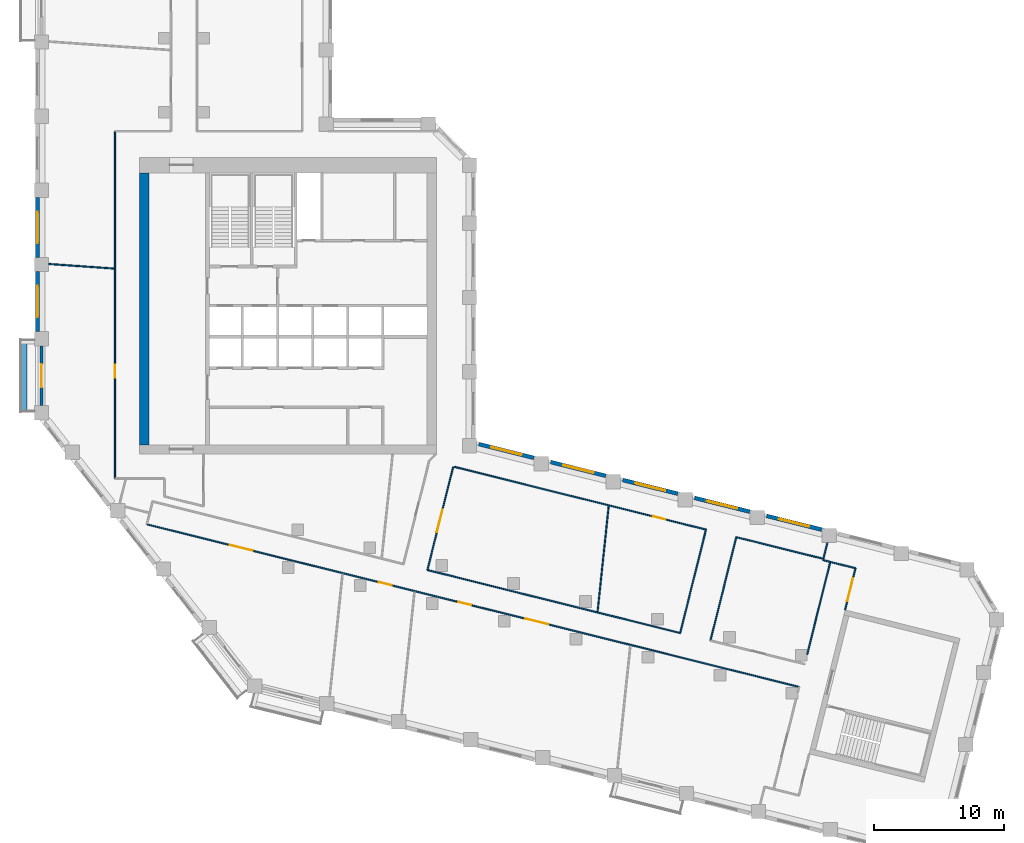
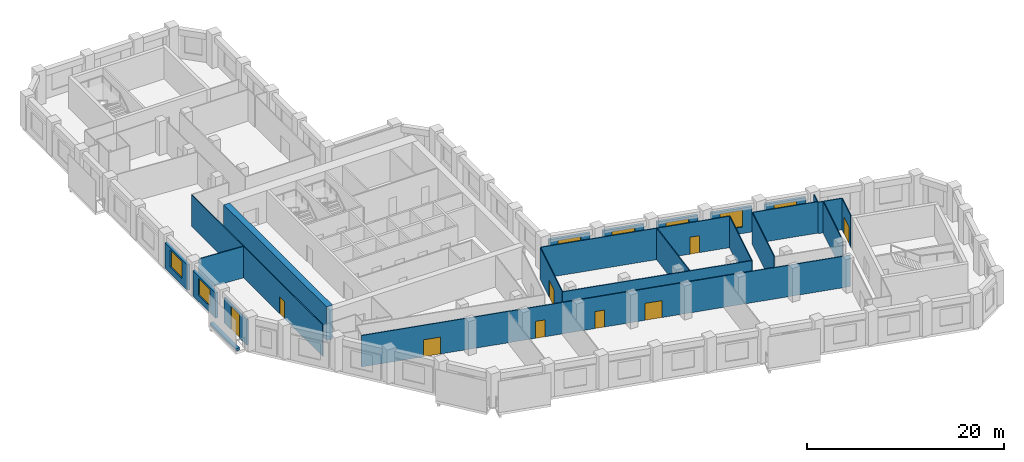
# One storey, part 4 of 10: 25 walls, 9 doors, 7 windows, 16 openings.
"""IFC4 building model written with IfcOpenShell, lengths in metres."""

from ifc_helpers import new_model, si_unit, direction, frame, frame_2d, origin, place, context, subcontext, project, spatial, rectangle, extrude, material, layer, layer_set, type_object, element, fill, save


model = new_model("IFC4")

# Units and contexts
model_context = context("Model", 3, precision=1e-05, world=origin(), true_north=direction((0.0, 1.0)))
body_context = subcontext(model_context, "Body", "Model", "MODEL_VIEW")
ifc_project = project(units=[si_unit("LENGTHUNIT", "METRE"), si_unit("AREAUNIT", "SQUARE_METRE"), si_unit("VOLUMEUNIT", "CUBIC_METRE"), si_unit("PLANEANGLEUNIT", "RADIAN"), si_unit("MASSUNIT", "GRAM", prefix="KILO")], contexts=[model_context])

# Site, building, storey
site_placement = place(None, origin())
site = spatial("IfcSite", under=ifc_project, at=site_placement, CompositionType="ELEMENT")
building_placement = place(site_placement, origin())
building = spatial("IfcBuilding", under=site, at=building_placement, Name="Meshkara Civic Tower", CompositionType="ELEMENT")
storey_placement = place(building_placement, frame((0.0, 0.0, 229.800048828125)))
storey = spatial("IfcBuildingStorey", under=building, at=storey_placement, Name="L52", CompositionType="ELEMENT", Elevation=229.800048828125)

# Wall
ifc_material_1 = material(Name="Concrete C60", Category="concrete")
ifc_layer_1 = layer(ifc_material_1, 0.699951171875)
ifc_layer_set_1 = layer_set([ifc_layer_1], Name="Core ring wall 700 C60")
wall_type_1 = type_object("IfcWallType", Name="Core ring wall 700 C60", PredefinedType="SHEAR", material=ifc_layer_set_1)
wall_1_placement = place(storey_placement, frame((8.35009765625, 14.800048828125, -0.300048828125), z_axis=(0.0, 0.0, 1.0), x_axis=(0.0, 1.0, 0.0)))
element("IfcWall", 1, at=wall_1_placement, inside=storey, type_object=wall_type_1, Name="L52-C003", PredefinedType="SHEAR", context=body_context, shape_type="SweptSolid", body=[
    extrude(rectangle(XDim=20.89990234375, YDim=0.699951171875, at=frame_2d((10.449951171875, 0.0))), origin(), (0.0, 0.0, 1.0), 4.199951171875),
])

# Wall, opening, door
ifc_material_2 = material(Name="Corridor wall 100")
ifc_layer_2 = layer(ifc_material_2, 0.10009765625)
ifc_layer_set_2 = layer_set([ifc_layer_2], Name="Corridor wall 100")
wall_type_2 = type_object("IfcWallType", Name="Corridor wall 100", PredefinedType="PARTITIONING", material=ifc_layer_set_2)
wall_2_placement = place(storey_placement, frame((6.10009765625, 38.89990234375, 0.0), z_axis=(0.0, 0.0, 1.0), x_axis=(0.0, -1.0, 0.0)))
wall_2 = element("IfcWall", 2, at=wall_2_placement, inside=storey, type_object=wall_type_2, Name="L52-W005", PredefinedType="PARTITIONING", context=body_context, shape_type="SweptSolid", body=[
    extrude(rectangle(XDim=26.699951171875, YDim=0.10009765625, at=frame_2d((13.35009765625, 0.0))), origin(), (0.0, 0.0, 1.0), 3.89990234375),
])
opening_1_placement = place(wall_2_placement, frame((17.93603515625, 0.0, 0.0)))
opening_1 = element("IfcOpeningElement", 3, at=opening_1_placement, cuts=wall_2, Name="Opening L52-D013", PredefinedType="OPENING", context=body_context, shape_type="SweptSolid", body=[
    extrude(rectangle(XDim=1.0, YDim=2.10009765625, at=frame_2d((0.5, 1.050048828125))), frame((0.0, 0.06005859375, 0.0), z_axis=(0.0, -1.0, 0.0), x_axis=(1.0, 0.0, 0.0)), (0.0, 0.0, 1.0), 0.1201171875),
])
ifc_material_3 = material(Name="Door 1000 x 2100")
door_type_1 = type_object("IfcDoorType", Name="Door 1000 x 2100", OperationType="SINGLE_SWING_LEFT", PredefinedType="DOOR", material=ifc_material_3)
door_1_placement = place(opening_1_placement, origin())
door_1 = element("IfcDoor", 4, at=door_1_placement, inside=storey, type_object=door_type_1, Name="L52-D013", OperationType="SINGLE_SWING_RIGHT", OverallHeight=2.10009765625, OverallWidth=1.0, PredefinedType="DOOR", context=body_context, shape_type="SweptSolid", body=[
    extrude(rectangle(XDim=1.0, YDim=2.10009765625, at=frame_2d((0.5, 1.050048828125))), frame((0.0, 0.02490234375, 0.0), z_axis=(0.0, -1.0, 0.0), x_axis=(1.0, 0.0, 0.0)), (0.0, 0.0, 1.0), 0.050048828125),
])
fill(opening_1, door_1)

# Wall, openings, doors
wall_3_placement = place(storey_placement, frame((8.550048828125, 8.68505859375, 0.0), z_axis=(0.0, 0.0, 1.0), x_axis=(0.970297101369, -0.241916380335, 0.0)))
wall_3 = element("IfcWall", 5, at=wall_3_placement, inside=storey, type_object=wall_type_2, Name="L52-W006", PredefinedType="PARTITIONING", context=body_context, shape_type="SweptSolid", body=[
    extrude(rectangle(XDim=51.6748046875, YDim=0.10009765625, at=frame_2d((25.83740234375, 0.0))), origin(), (0.0, 0.0, 1.0), 3.89990234375),
])
opening_2_placement = place(wall_3_placement, frame((18.39111328125, 0.0, 0.0)))
opening_2 = element("IfcOpeningElement", 6, at=opening_2_placement, cuts=wall_3, Name="Opening L52-D004", PredefinedType="OPENING", context=body_context, shape_type="SweptSolid", body=[
    extrude(rectangle(XDim=1.0, YDim=2.10009765625, at=frame_2d((0.5, 1.050048828125))), frame((0.0, 0.06005859375, 0.0), z_axis=(0.0, -1.0, 0.0), x_axis=(1.0, 0.0, 0.0)), (0.0, 0.0, 1.0), 0.1201171875),
])
opening_3_placement = place(wall_3_placement, frame((24.68994140625, 0.0, 0.0)))
opening_3 = element("IfcOpeningElement", 7, at=opening_3_placement, cuts=wall_3, Name="Opening L52-D005", PredefinedType="OPENING", context=body_context, shape_type="SweptSolid", body=[
    extrude(rectangle(XDim=1.0, YDim=2.10009765625, at=frame_2d((0.5, 1.050048828125))), frame((0.0, 0.06005859375, 0.0), z_axis=(0.0, -1.0, 0.0), x_axis=(1.0, 0.0, 0.0)), (0.0, 0.0, 1.0), 0.1201171875),
])
opening_4_placement = place(wall_3_placement, frame((29.989990234375, 0.0, 0.0)))
opening_4 = element("IfcOpeningElement", 8, at=opening_4_placement, cuts=wall_3, Name="Opening L52-D006", PredefinedType="OPENING", context=body_context, shape_type="SweptSolid", body=[
    extrude(rectangle(XDim=1.800048828125, YDim=2.10009765625, at=frame_2d((0.89990234375, 1.050048828125))), frame((0.0, 0.06005859375, 0.0), z_axis=(0.0, -1.0, 0.0), x_axis=(1.0, 0.0, 0.0)), (0.0, 0.0, 1.0), 0.1201171875),
])
opening_5_placement = place(wall_3_placement, frame((6.580078125, 0.0, 0.0)))
opening_5 = element("IfcOpeningElement", 9, at=opening_5_placement, cuts=wall_3, Name="Opening L52-D008", PredefinedType="OPENING", context=body_context, shape_type="SweptSolid", body=[
    extrude(rectangle(XDim=1.800048828125, YDim=2.10009765625, at=frame_2d((0.89990234375, 1.050048828125))), frame((0.0, 0.06005859375, 0.0), z_axis=(0.0, -1.0, 0.0), x_axis=(1.0, 0.0, 0.0)), (0.0, 0.0, 1.0), 0.1201171875),
])
door_2_placement = place(opening_2_placement, origin())
door_2 = element("IfcDoor", 10, at=door_2_placement, inside=storey, type_object=door_type_1, Name="L52-D004", OperationType="SINGLE_SWING_LEFT", OverallHeight=2.10009765625, OverallWidth=1.0, PredefinedType="DOOR", context=body_context, shape_type="SweptSolid", body=[
    extrude(rectangle(XDim=1.0, YDim=2.10009765625, at=frame_2d((0.5, 1.050048828125))), frame((0.0, 0.02490234375, 0.0), z_axis=(0.0, -1.0, 0.0), x_axis=(1.0, 0.0, 0.0)), (0.0, 0.0, 1.0), 0.050048828125),
])
fill(opening_2, door_2)
door_3_placement = place(opening_3_placement, origin())
door_3 = element("IfcDoor", 11, at=door_3_placement, inside=storey, type_object=door_type_1, Name="L52-D005", OperationType="SINGLE_SWING_RIGHT", OverallHeight=2.10009765625, OverallWidth=1.0, PredefinedType="DOOR", context=body_context, shape_type="SweptSolid", body=[
    extrude(rectangle(XDim=1.0, YDim=2.10009765625, at=frame_2d((0.5, 1.050048828125))), frame((0.0, 0.02490234375, 0.0), z_axis=(0.0, -1.0, 0.0), x_axis=(1.0, 0.0, 0.0)), (0.0, 0.0, 1.0), 0.050048828125),
])
fill(opening_3, door_3)
ifc_material_4 = material(Name="Door pair 1800 x 2100")
door_type_2 = type_object("IfcDoorType", Name="Door pair 1800 x 2100", OperationType="SINGLE_SWING_LEFT", PredefinedType="DOOR", material=ifc_material_4)
door_4_placement = place(opening_4_placement, origin())
door_4 = element("IfcDoor", 12, at=door_4_placement, inside=storey, type_object=door_type_2, Name="L52-D006", OperationType="DOUBLE_DOOR_SINGLE_SWING", OverallHeight=2.10009765625, OverallWidth=1.800048828125, PredefinedType="DOOR", context=body_context, shape_type="SweptSolid", body=[
    extrude(rectangle(XDim=1.800048828125, YDim=2.10009765625, at=frame_2d((0.89990234375, 1.050048828125))), frame((0.0, 0.02490234375, 0.0), z_axis=(0.0, -1.0, 0.0), x_axis=(1.0, 0.0, 0.0)), (0.0, 0.0, 1.0), 0.050048828125),
])
fill(opening_4, door_4)
door_5_placement = place(opening_5_placement, origin())
door_5 = element("IfcDoor", 13, at=door_5_placement, inside=storey, type_object=door_type_2, Name="L52-D008", OperationType="DOUBLE_DOOR_SINGLE_SWING", OverallHeight=2.10009765625, OverallWidth=1.800048828125, PredefinedType="DOOR", context=body_context, shape_type="SweptSolid", body=[
    extrude(rectangle(XDim=1.800048828125, YDim=2.10009765625, at=frame_2d((0.89990234375, 1.050048828125))), frame((0.0, 0.02490234375, 0.0), z_axis=(0.0, -1.0, 0.0), x_axis=(1.0, 0.0, 0.0)), (0.0, 0.0, 1.0), 0.050048828125),
])
fill(opening_5, door_5)

# Wall
wall_4_placement = place(storey_placement, frame((30.1201171875, 5.1708984375, 0.0), z_axis=(0.0, 0.0, 1.0), x_axis=(0.970303642594, -0.241890142767, 0.0)))
element("IfcWall", 14, at=wall_4_placement, inside=storey, type_object=wall_type_2, Name="L52-W021", PredefinedType="PARTITIONING", context=body_context, shape_type="SweptSolid", body=[
    extrude(rectangle(XDim=20.025634765625, YDim=0.10009765625, at=frame_2d((10.0126953125, 0.0))), origin(), (0.0, 0.0, 1.0), 3.89990234375),
])

# Wall, opening, door
wall_5_placement = place(storey_placement, frame((30.1201171875, 5.1708984375, 0.0), z_axis=(0.0, 0.0, 1.0), x_axis=(0.241902913229, 0.970300458915, 0.0)))
wall_5 = element("IfcWall", 15, at=wall_5_placement, inside=storey, type_object=wall_type_2, Name="L52-W022", PredefinedType="PARTITIONING", context=body_context, shape_type="SweptSolid", body=[
    extrude(rectangle(XDim=8.171875, YDim=0.10009765625, at=frame_2d((4.0859375, 0.0))), origin(), (0.0, 0.0, 1.0), 3.89990234375),
])
opening_6_placement = place(wall_5_placement, frame((2.97998046875, 0.0, 0.0)))
opening_6 = element("IfcOpeningElement", 16, at=opening_6_placement, cuts=wall_5, Name="Opening L52-D010", PredefinedType="OPENING", context=body_context, shape_type="SweptSolid", body=[
    extrude(rectangle(XDim=1.800048828125, YDim=2.10009765625, at=frame_2d((0.89990234375, 1.050048828125))), frame((0.0, 0.06005859375, 0.0), z_axis=(0.0, -1.0, 0.0), x_axis=(1.0, 0.0, 0.0)), (0.0, 0.0, 1.0), 0.1201171875),
])
door_6_placement = place(opening_6_placement, origin())
door_6 = element("IfcDoor", 17, at=door_6_placement, inside=storey, type_object=door_type_2, Name="L52-D010", OperationType="DOUBLE_DOOR_SINGLE_SWING", OverallHeight=2.10009765625, OverallWidth=1.800048828125, PredefinedType="DOOR", context=body_context, shape_type="SweptSolid", body=[
    extrude(rectangle(XDim=1.800048828125, YDim=2.10009765625, at=frame_2d((0.89990234375, 1.050048828125))), frame((0.0, 0.02490234375, 0.0), z_axis=(0.0, -1.0, 0.0), x_axis=(1.0, 0.0, 0.0)), (0.0, 0.0, 1.0), 0.050048828125),
])
fill(opening_6, door_6)

wall_6_placement = place(storey_placement, frame((32.196044921875, 13.10009765625, 0.0), z_axis=(0.0, 0.0, 1.0), x_axis=(0.970300822777, -0.241901453734, 0.0)))
wall_6 = element("IfcWall", 18, at=wall_6_placement, inside=storey, type_object=wall_type_2, Name="L52-W026", PredefinedType="PARTITIONING", context=body_context, shape_type="SweptSolid", body=[
    extrude(rectangle(XDim=19.9296875, YDim=0.10009765625, at=frame_2d((9.96484375, 0.0))), origin(), (0.0, 0.0, 1.0), 3.89990234375),
])
opening_7_placement = place(wall_6_placement, frame((15.70703125, 0.0, 0.0)))
opening_7 = element("IfcOpeningElement", 19, at=opening_7_placement, cuts=wall_6, Name="Opening L52-D011", PredefinedType="OPENING", context=body_context, shape_type="SweptSolid", body=[
    extrude(rectangle(XDim=1.0, YDim=2.10009765625, at=frame_2d((0.5, 1.050048828125))), frame((0.0, 0.06005859375, 0.0), z_axis=(0.0, -1.0, 0.0), x_axis=(1.0, 0.0, 0.0)), (0.0, 0.0, 1.0), 0.1201171875),
])
door_7_placement = place(opening_7_placement, origin())
door_7 = element("IfcDoor", 20, at=door_7_placement, inside=storey, type_object=door_type_1, Name="L52-D011", OperationType="SINGLE_SWING_LEFT", OverallHeight=2.10009765625, OverallWidth=1.0, PredefinedType="DOOR", context=body_context, shape_type="SweptSolid", body=[
    extrude(rectangle(XDim=1.0, YDim=2.10009765625, at=frame_2d((0.5, 1.050048828125))), frame((0.0, 0.02490234375, 0.0), z_axis=(0.0, -1.0, 0.0), x_axis=(1.0, 0.0, 0.0)), (0.0, 0.0, 1.0), 0.050048828125),
])
fill(opening_7, door_7)

# Walls
wall_7_placement = place(storey_placement, frame((51.533935546875, 8.278076171875, 0.0), z_axis=(0.0, 0.0, 1.0), x_axis=(-0.241974784284, -0.970282538115, 0.0)))
element("IfcWall", 21, at=wall_7_placement, inside=storey, type_object=wall_type_2, Name="L52-W027", PredefinedType="PARTITIONING", context=body_context, shape_type="SweptSolid", body=[
    extrude(rectangle(XDim=8.194580078125, YDim=0.10009765625, at=frame_2d((4.09716796875, 0.0))), origin(), (0.0, 0.0, 1.0), 3.89990234375),
])
wall_8_placement = place(storey_placement, frame((51.8798828125, -0.25390625, 0.0), z_axis=(0.0, 0.0, 1.0), x_axis=(0.241869660979, 0.970308748336, 0.0)))
element("IfcWall", 22, at=wall_8_placement, inside=storey, type_object=wall_type_2, Name="L52-W028", PredefinedType="PARTITIONING", context=body_context, shape_type="SweptSolid", body=[
    extrude(rectangle(XDim=8.1953125, YDim=0.10009765625, at=frame_2d((4.09765625, 0.0))), origin(), (0.0, 0.0, 1.0), 3.89990234375),
])
wall_9_placement = place(storey_placement, frame((53.862060546875, 7.697998046875, 0.0), z_axis=(0.0, 0.0, 1.0), x_axis=(0.970296350815, -0.241919390698, 0.0)))
element("IfcWall", 23, at=wall_9_placement, inside=storey, type_object=wall_type_2, Name="L52-W029", PredefinedType="PARTITIONING", context=body_context, shape_type="SweptSolid", body=[
    extrude(rectangle(XDim=6.898681640625, YDim=0.10009765625, at=frame_2d((3.44921875, 0.0))), origin(), (0.0, 0.0, 1.0), 3.89990234375),
])
wall_10_placement = place(storey_placement, frame((60.555908203125, 6.029052734375, 0.0), z_axis=(0.0, 0.0, 1.0), x_axis=(0.24168476558, 0.970354818655, 0.0)))
element("IfcWall", 24, at=wall_10_placement, inside=storey, type_object=wall_type_2, Name="L52-W035", PredefinedType="PARTITIONING", context=body_context, shape_type="SweptSolid", body=[
    extrude(rectangle(XDim=1.282958984375, YDim=0.10009765625, at=frame_2d((0.6416015625, 0.0))), origin(), (0.0, 0.0, 1.0), 3.89990234375),
])
wall_11_placement = place(storey_placement, frame((61.0859375, 5.7939453125, 0.0), z_axis=(0.0, 0.0, 1.0), x_axis=(-0.241861257594, -0.970310843016, 0.0)))
element("IfcWall", 25, at=wall_11_placement, inside=storey, type_object=wall_type_2, Name="L52-W036", PredefinedType="PARTITIONING", context=body_context, shape_type="SweptSolid", body=[
    extrude(rectangle(XDim=7.326416015625, YDim=0.10009765625, at=frame_2d((3.6630859375, 0.0))), origin(), (0.0, 0.0, 1.0), 3.89990234375),
])

# Wall, opening, door
wall_12_placement = place(storey_placement, frame((62.22900390625, 2.10791015625, 0.0), z_axis=(0.0, 0.0, 1.0), x_axis=(0.241839284064, 0.97031631991, 0.0)))
wall_12 = element("IfcWall", 26, at=wall_12_placement, inside=storey, type_object=wall_type_2, Name="L52-W037", PredefinedType="PARTITIONING", context=body_context, shape_type="SweptSolid", body=[
    extrude(rectangle(XDim=3.300048828125, YDim=0.10009765625, at=frame_2d((1.64990234375, 0.0))), origin(), (0.0, 0.0, 1.0), 3.89990234375),
])
opening_8_placement = place(wall_12_placement, frame((0.679931640625, 0.0, 0.0)))
opening_8 = element("IfcOpeningElement", 27, at=opening_8_placement, cuts=wall_12, Name="Opening L52-D007", PredefinedType="OPENING", context=body_context, shape_type="SweptSolid", body=[
    extrude(rectangle(XDim=1.800048828125, YDim=2.10009765625, at=frame_2d((0.89990234375, 1.050048828125))), frame((0.0, 0.06005859375, 0.0), z_axis=(0.0, -1.0, 0.0), x_axis=(1.0, 0.0, 0.0)), (0.0, 0.0, 1.0), 0.1201171875),
])
door_8_placement = place(opening_8_placement, origin())
door_8 = element("IfcDoor", 28, at=door_8_placement, inside=storey, type_object=door_type_2, Name="L52-D007", OperationType="DOUBLE_DOOR_SINGLE_SWING", OverallHeight=2.10009765625, OverallWidth=1.800048828125, PredefinedType="DOOR", context=body_context, shape_type="SweptSolid", body=[
    extrude(rectangle(XDim=1.800048828125, YDim=2.10009765625, at=frame_2d((0.89990234375, 1.050048828125))), frame((0.0, 0.02490234375, 0.0), z_axis=(0.0, -1.0, 0.0), x_axis=(1.0, 0.0, 0.0)), (0.0, 0.0, 1.0), 0.050048828125),
])
fill(opening_8, door_8)

# Wall
wall_13_placement = place(storey_placement, frame((63.027099609375, 5.31005859375, 0.0), z_axis=(0.0, 0.0, 1.0), x_axis=(-0.970307382734, 0.241875139301, 0.0)))
element("IfcWall", 29, at=wall_13_placement, inside=storey, type_object=wall_type_2, Name="L52-W038", PredefinedType="PARTITIONING", context=body_context, shape_type="SweptSolid", body=[
    extrude(rectangle(XDim=2.00048828125, YDim=0.10009765625, at=frame_2d((1.000244140625, 0.0))), origin(), (0.0, 0.0, 1.0), 3.89990234375),
])

# Wall, opening, window
ifc_material_5 = material(Name="Insulated infill panel with bronze anodised aluminium cladding", Category="aluminium")
ifc_layer_3 = layer(ifc_material_5, 0.300048828125)
ifc_layer_set_3 = layer_set([ifc_layer_3], Name="EXTERNAL INFILL WALL 300")
wall_type_3 = type_object("IfcWallType", Name="EXTERNAL INFILL WALL 300", PredefinedType="SOLIDWALL", material=ifc_layer_set_3)
wall_14_placement = place(storey_placement, frame((60.428955078125, 8.277099609375, 0.0), z_axis=(0.0, 0.0, 1.0), x_axis=(-0.97030676369, 0.241877622649, 0.0)))
wall_14 = element("IfcWall", 30, at=wall_14_placement, inside=storey, type_object=wall_type_3, Name="External wall", PredefinedType="SOLIDWALL", context=body_context, shape_type="SweptSolid", body=[
    extrude(rectangle(XDim=4.365478515625, YDim=0.300048828125, at=frame_2d((2.1826171875, 0.0))), origin(), (0.0, 0.0, 1.0), 3.14990234375),
])
opening_9_placement = place(wall_14_placement, frame((0.98291015625, 0.0, 0.800048828125)))
opening_9 = element("IfcOpeningElement", 31, at=opening_9_placement, cuts=wall_14, Name="Opening W7", PredefinedType="OPENING", context=body_context, shape_type="SweptSolid", body=[
    extrude(rectangle(XDim=2.39990234375, YDim=2.10009765625, at=frame_2d((1.199951171875, 1.050048828125))), frame((0.0, 0.159912109375, 0.0), z_axis=(0.0, -1.0, 0.0), x_axis=(1.0, 0.0, 0.0)), (0.0, 0.0, 1.0), 0.320068359375),
])
ifc_material_6 = material(Name="Tinted double glazing", Category="glass")
window_type = type_object("IfcWindowType", Name="WINDOW 2400x2100", PartitioningType="DOUBLE_PANEL_VERTICAL", PredefinedType="WINDOW", material=ifc_material_6)
window_1_placement = place(opening_9_placement, origin())
window_1 = element("IfcWindow", 32, at=window_1_placement, inside=storey, type_object=window_type, Name="Window", OverallHeight=2.10009765625, OverallWidth=2.39990234375, PartitioningType="DOUBLE_PANEL_VERTICAL", PredefinedType="WINDOW", context=body_context, shape_type="SweptSolid", body=[
    extrude(rectangle(XDim=2.39990234375, YDim=2.10009765625, at=frame_2d((1.199951171875, 1.050048828125))), frame((0.0, 0.030029296875, 0.0), z_axis=(0.0, -1.0, 0.0), x_axis=(1.0, 0.0, 0.0)), (0.0, 0.0, 1.0), 0.06005859375),
])
fill(opening_9, window_1)

wall_15_placement = place(storey_placement, frame((54.89892578125, 9.656005859375, 0.0), z_axis=(0.0, 0.0, 1.0), x_axis=(-0.970319847058, 0.241825131873, 0.0)))
wall_15 = element("IfcWall", 33, at=wall_15_placement, inside=storey, type_object=wall_type_3, Name="External wall", PredefinedType="SOLIDWALL", context=body_context, shape_type="SweptSolid", body=[
    extrude(rectangle(XDim=4.366455078125, YDim=0.300048828125, at=frame_2d((2.18310546875, 0.0))), origin(), (0.0, 0.0, 1.0), 3.14990234375),
])
opening_10_placement = place(wall_15_placement, frame((0.98291015625, 0.0, 0.800048828125)))
opening_10 = element("IfcOpeningElement", 34, at=opening_10_placement, cuts=wall_15, Name="Opening W7", PredefinedType="OPENING", context=body_context, shape_type="SweptSolid", body=[
    extrude(rectangle(XDim=2.39990234375, YDim=2.10009765625, at=frame_2d((1.199951171875, 1.050048828125))), frame((0.0, 0.159912109375, 0.0), z_axis=(0.0, -1.0, 0.0), x_axis=(1.0, 0.0, 0.0)), (0.0, 0.0, 1.0), 0.320068359375),
])
window_2_placement = place(opening_10_placement, origin())
window_2 = element("IfcWindow", 35, at=window_2_placement, inside=storey, type_object=window_type, Name="Window", OverallHeight=2.10009765625, OverallWidth=2.39990234375, PartitioningType="DOUBLE_PANEL_VERTICAL", PredefinedType="WINDOW", context=body_context, shape_type="SweptSolid", body=[
    extrude(rectangle(XDim=2.39990234375, YDim=2.10009765625, at=frame_2d((1.199951171875, 1.050048828125))), frame((0.0, 0.030029296875, 0.0), z_axis=(0.0, -1.0, 0.0), x_axis=(1.0, 0.0, 0.0)), (0.0, 0.0, 1.0), 0.06005859375),
])
fill(opening_10, window_2)

wall_16_placement = place(storey_placement, frame((49.367919921875, 11.034912109375, 0.0), z_axis=(0.0, 0.0, 1.0), x_axis=(-0.970306725873, 0.241877774353, 0.0)))
wall_16 = element("IfcWall", 36, at=wall_16_placement, inside=storey, type_object=wall_type_3, Name="External wall", PredefinedType="SOLIDWALL", context=body_context, shape_type="SweptSolid", body=[
    extrude(rectangle(XDim=4.366455078125, YDim=0.300048828125, at=frame_2d((2.18310546875, 0.0))), origin(), (0.0, 0.0, 1.0), 3.14990234375),
])
opening_11_placement = place(wall_16_placement, frame((0.98291015625, 0.0, 0.800048828125)))
opening_11 = element("IfcOpeningElement", 37, at=opening_11_placement, cuts=wall_16, Name="Opening W7", PredefinedType="OPENING", context=body_context, shape_type="SweptSolid", body=[
    extrude(rectangle(XDim=2.39990234375, YDim=2.10009765625, at=frame_2d((1.199951171875, 1.050048828125))), frame((0.0, 0.159912109375, 0.0), z_axis=(0.0, -1.0, 0.0), x_axis=(1.0, 0.0, 0.0)), (0.0, 0.0, 1.0), 0.320068359375),
])
window_3_placement = place(opening_11_placement, origin())
window_3 = element("IfcWindow", 38, at=window_3_placement, inside=storey, type_object=window_type, Name="Window", OverallHeight=2.10009765625, OverallWidth=2.39990234375, PartitioningType="DOUBLE_PANEL_VERTICAL", PredefinedType="WINDOW", context=body_context, shape_type="SweptSolid", body=[
    extrude(rectangle(XDim=2.39990234375, YDim=2.10009765625, at=frame_2d((1.199951171875, 1.050048828125))), frame((0.0, 0.030029296875, 0.0), z_axis=(0.0, -1.0, 0.0), x_axis=(1.0, 0.0, 0.0)), (0.0, 0.0, 1.0), 0.06005859375),
])
fill(opening_11, window_3)

wall_17_placement = place(storey_placement, frame((43.8369140625, 12.4140625, 0.0), z_axis=(0.0, 0.0, 1.0), x_axis=(-0.97030676369, 0.241877622649, 0.0)))
wall_17 = element("IfcWall", 39, at=wall_17_placement, inside=storey, type_object=wall_type_3, Name="External wall", PredefinedType="SOLIDWALL", context=body_context, shape_type="SweptSolid", body=[
    extrude(rectangle(XDim=4.365478515625, YDim=0.300048828125, at=frame_2d((2.1826171875, 0.0))), origin(), (0.0, 0.0, 1.0), 3.14990234375),
])
opening_12_placement = place(wall_17_placement, frame((0.98291015625, 0.0, 0.800048828125)))
opening_12 = element("IfcOpeningElement", 40, at=opening_12_placement, cuts=wall_17, Name="Opening W7", PredefinedType="OPENING", context=body_context, shape_type="SweptSolid", body=[
    extrude(rectangle(XDim=2.39990234375, YDim=2.10009765625, at=frame_2d((1.199951171875, 1.050048828125))), frame((0.0, 0.159912109375, 0.0), z_axis=(0.0, -1.0, 0.0), x_axis=(1.0, 0.0, 0.0)), (0.0, 0.0, 1.0), 0.320068359375),
])
window_4_placement = place(opening_12_placement, origin())
window_4 = element("IfcWindow", 41, at=window_4_placement, inside=storey, type_object=window_type, Name="Window", OverallHeight=2.10009765625, OverallWidth=2.39990234375, PartitioningType="DOUBLE_PANEL_VERTICAL", PredefinedType="WINDOW", context=body_context, shape_type="SweptSolid", body=[
    extrude(rectangle(XDim=2.39990234375, YDim=2.10009765625, at=frame_2d((1.199951171875, 1.050048828125))), frame((0.0, 0.030029296875, 0.0), z_axis=(0.0, -1.0, 0.0), x_axis=(1.0, 0.0, 0.0)), (0.0, 0.0, 1.0), 0.06005859375),
])
fill(opening_12, window_4)

wall_18_placement = place(storey_placement, frame((38.306884765625, 13.79296875, 0.0), z_axis=(0.0, 0.0, 1.0), x_axis=(-0.970306725873, 0.241877774353, 0.0)))
wall_18 = element("IfcWall", 42, at=wall_18_placement, inside=storey, type_object=wall_type_3, Name="External wall", PredefinedType="SOLIDWALL", context=body_context, shape_type="SweptSolid", body=[
    extrude(rectangle(XDim=4.366455078125, YDim=0.300048828125, at=frame_2d((2.18310546875, 0.0))), origin(), (0.0, 0.0, 1.0), 3.14990234375),
])
opening_13_placement = place(wall_18_placement, frame((0.98291015625, 0.0, 0.800048828125)))
opening_13 = element("IfcOpeningElement", 43, at=opening_13_placement, cuts=wall_18, Name="Opening W7", PredefinedType="OPENING", context=body_context, shape_type="SweptSolid", body=[
    extrude(rectangle(XDim=2.39990234375, YDim=2.10009765625, at=frame_2d((1.199951171875, 1.050048828125))), frame((0.0, 0.159912109375, 0.0), z_axis=(0.0, -1.0, 0.0), x_axis=(1.0, 0.0, 0.0)), (0.0, 0.0, 1.0), 0.320068359375),
])
window_5_placement = place(opening_13_placement, origin())
window_5 = element("IfcWindow", 44, at=window_5_placement, inside=storey, type_object=window_type, Name="Window", OverallHeight=2.10009765625, OverallWidth=2.39990234375, PartitioningType="DOUBLE_PANEL_VERTICAL", PredefinedType="WINDOW", context=body_context, shape_type="SweptSolid", body=[
    extrude(rectangle(XDim=2.39990234375, YDim=2.10009765625, at=frame_2d((1.199951171875, 1.050048828125))), frame((0.0, 0.030029296875, 0.0), z_axis=(0.0, -1.0, 0.0), x_axis=(1.0, 0.0, 0.0)), (0.0, 0.0, 1.0), 0.06005859375),
])
fill(opening_13, window_5)

wall_19_placement = place(storey_placement, frame((0.14990234375, 33.804931640625, 0.0), z_axis=(0.0, 0.0, 1.0), x_axis=(0.0, -1.0, 0.0)))
wall_19 = element("IfcWall", 45, at=wall_19_placement, inside=storey, type_object=wall_type_3, Name="External wall", PredefinedType="SOLIDWALL", context=body_context, shape_type="SweptSolid", body=[
    extrude(rectangle(XDim=4.599853515625, YDim=0.300048828125, at=frame_2d((2.2998046875, 0.0))), origin(), (0.0, 0.0, 1.0), 3.14990234375),
])
opening_14_placement = place(wall_19_placement, frame((1.10009765625, 0.0, 0.800048828125)))
opening_14 = element("IfcOpeningElement", 46, at=opening_14_placement, cuts=wall_19, Name="Opening W7", PredefinedType="OPENING", context=body_context, shape_type="SweptSolid", body=[
    extrude(rectangle(XDim=2.39990234375, YDim=2.10009765625, at=frame_2d((1.199951171875, 1.050048828125))), frame((0.0, 0.159912109375, 0.0), z_axis=(0.0, -1.0, 0.0), x_axis=(1.0, 0.0, 0.0)), (0.0, 0.0, 1.0), 0.320068359375),
])
window_6_placement = place(opening_14_placement, origin())
window_6 = element("IfcWindow", 47, at=window_6_placement, inside=storey, type_object=window_type, Name="Window", OverallHeight=2.10009765625, OverallWidth=2.39990234375, PartitioningType="DOUBLE_PANEL_VERTICAL", PredefinedType="WINDOW", context=body_context, shape_type="SweptSolid", body=[
    extrude(rectangle(XDim=2.39990234375, YDim=2.10009765625, at=frame_2d((1.199951171875, 1.050048828125))), frame((0.0, 0.030029296875, 0.0), z_axis=(0.0, -1.0, 0.0), x_axis=(1.0, 0.0, 0.0)), (0.0, 0.0, 1.0), 0.06005859375),
])
fill(opening_14, window_6)

wall_20_placement = place(storey_placement, frame((0.14990234375, 28.10498046875, 0.0), z_axis=(0.0, 0.0, 1.0), x_axis=(0.0, -1.0, 0.0)))
wall_20 = element("IfcWall", 48, at=wall_20_placement, inside=storey, type_object=wall_type_3, Name="External wall", PredefinedType="SOLIDWALL", context=body_context, shape_type="SweptSolid", body=[
    extrude(rectangle(XDim=4.60009765625, YDim=0.300048828125, at=frame_2d((2.300048828125, 0.0))), origin(), (0.0, 0.0, 1.0), 3.14990234375),
])
opening_15_placement = place(wall_20_placement, frame((1.10009765625, 0.0, 0.800048828125)))
opening_15 = element("IfcOpeningElement", 49, at=opening_15_placement, cuts=wall_20, Name="Opening W7", PredefinedType="OPENING", context=body_context, shape_type="SweptSolid", body=[
    extrude(rectangle(XDim=2.39990234375, YDim=2.10009765625, at=frame_2d((1.199951171875, 1.050048828125))), frame((0.0, 0.159912109375, 0.0), z_axis=(0.0, -1.0, 0.0), x_axis=(1.0, 0.0, 0.0)), (0.0, 0.0, 1.0), 0.320068359375),
])
window_7_placement = place(opening_15_placement, origin())
window_7 = element("IfcWindow", 50, at=window_7_placement, inside=storey, type_object=window_type, Name="Window", OverallHeight=2.10009765625, OverallWidth=2.39990234375, PartitioningType="DOUBLE_PANEL_VERTICAL", PredefinedType="WINDOW", context=body_context, shape_type="SweptSolid", body=[
    extrude(rectangle(XDim=2.39990234375, YDim=2.10009765625, at=frame_2d((1.199951171875, 1.050048828125))), frame((0.0, 0.030029296875, 0.0), z_axis=(0.0, -1.0, 0.0), x_axis=(1.0, 0.0, 0.0)), (0.0, 0.0, 1.0), 0.06005859375),
])
fill(opening_15, window_7)

# Wall, opening, door
ifc_material_7 = material(Name="Insulated infill panel with bronze anodised aluminium cladding", Category="aluminium")
ifc_layer_4 = layer(ifc_material_7, 0.199951171875)
ifc_layer_set_4 = layer_set([ifc_layer_4], Name="LOGGIA BACK WALL 200")
wall_type_4 = type_object("IfcWallType", Name="LOGGIA BACK WALL 200", PredefinedType="SOLIDWALL", material=ifc_layer_set_4)
wall_21_placement = place(storey_placement, frame((0.449951171875, 22.404052734375, 0.0), z_axis=(0.0, 0.0, 1.0), x_axis=(0.0, -1.0, 0.0)))
wall_21 = element("IfcWall", 51, at=wall_21_placement, inside=storey, type_object=wall_type_4, Name="Loggia wall", PredefinedType="SOLIDWALL", context=body_context, shape_type="SweptSolid", body=[
    extrude(rectangle(XDim=4.59912109375, YDim=0.199951171875, at=frame_2d((2.299560546875, 0.0))), origin(), (0.0, 0.0, 1.0), 3.14990234375),
])
opening_16_placement = place(wall_21_placement, frame((1.39990234375, 0.0, 0.0)))
opening_16 = element("IfcOpeningElement", 52, at=opening_16_placement, cuts=wall_21, Name="Opening L52-L002", PredefinedType="OPENING", context=body_context, shape_type="SweptSolid", body=[
    extrude(rectangle(XDim=1.800048828125, YDim=2.89990234375, at=frame_2d((0.89990234375, 1.449951171875))), frame((0.0, 0.10986328125, 0.0), z_axis=(0.0, -1.0, 0.0), x_axis=(1.0, 0.0, 0.0)), (0.0, 0.0, 1.0), 0.219970703125),
])
ifc_material_8 = material(Name="Tinted double glazing", Category="glass")
door_type_3 = type_object("IfcDoorType", Name="LOGGIA DOOR 1800x2900", OperationType="DOUBLE_DOOR_SINGLE_SWING", PredefinedType="DOOR", material=ifc_material_8)
door_9_placement = place(opening_16_placement, origin())
door_9 = element("IfcDoor", 53, at=door_9_placement, inside=storey, type_object=door_type_3, Name="L52-L002", OperationType="DOUBLE_DOOR_SINGLE_SWING", OverallHeight=2.89990234375, OverallWidth=1.800048828125, PredefinedType="DOOR", context=body_context, shape_type="SweptSolid", body=[
    extrude(rectangle(XDim=1.800048828125, YDim=2.89990234375, at=frame_2d((0.89990234375, 1.449951171875))), frame((0.0, 0.02490234375, 0.0), z_axis=(0.0, -1.0, 0.0), x_axis=(1.0, 0.0, 0.0)), (0.0, 0.0, 1.0), 0.050048828125),
])
fill(opening_16, door_9)

# Walls
ifc_material_9 = material(Name="Concrete C40", Category="concrete")
ifc_layer_5 = layer(ifc_material_9, 0.39990234375)
ifc_layer_set_5 = layer_set([ifc_layer_5], Name="PLANTER TRAY")
wall_type_5 = type_object("IfcWallType", Name="PLANTER TRAY", PredefinedType="SOLIDWALL", material=ifc_layer_set_5)
wall_22_placement = place(storey_placement, frame((-0.8798828125, 22.784912109375, 0.0), z_axis=(0.0, 0.0, 1.0), x_axis=(0.0, -1.0, 0.0)))
element("IfcWall", 54, at=wall_22_placement, inside=storey, type_object=wall_type_5, Name="Planter", PredefinedType="SOLIDWALL", context=body_context, shape_type="SweptSolid", body=[
    extrude(rectangle(XDim=5.35986328125, YDim=0.39990234375, at=frame_2d((2.679931640625, 0.0))), origin(), (0.0, 0.0, 1.0), 0.300048828125),
])
ifc_material_10 = material(Name="Partition 100")
ifc_layer_6 = layer(ifc_material_10, 0.10009765625)
ifc_layer_set_6 = layer_set([ifc_layer_6], Name="Partition 100")
wall_type_6 = type_object("IfcWallType", Name="Partition 100", PredefinedType="PARTITIONING", material=ifc_layer_set_6)
wall_23_placement = place(storey_placement, frame((6.047119140625, 28.343994140625, 0.0), z_axis=(0.0, 0.0, 1.0), x_axis=(-0.9975626968, 0.06977582642, 0.0)))
element("IfcWall", 55, at=wall_23_placement, inside=storey, type_object=wall_type_6, Name="L52-W044", PredefinedType="PARTITIONING", context=body_context, shape_type="SweptSolid", body=[
    extrude(rectangle(XDim=5.0595703125, YDim=0.10009765625, at=frame_2d((2.52978515625, 0.0))), origin(), (0.0, 0.0, 1.0), 3.89990234375),
])
wall_24_placement = place(storey_placement, frame((43.200927734375, 1.968994140625, 0.0), z_axis=(0.0, 0.0, 1.0), x_axis=(0.104529052315, 0.994521833457, 0.0)))
element("IfcWall", 56, at=wall_24_placement, inside=storey, type_object=wall_type_6, Name="L52-W052", PredefinedType="PARTITIONING", context=body_context, shape_type="SweptSolid", body=[
    extrude(rectangle(XDim=8.16064453125, YDim=0.10009765625, at=frame_2d((4.080322265625, 0.0))), origin(), (0.0, 0.0, 1.0), 3.89990234375),
])
wall_25_placement = place(storey_placement, frame((61.090087890625, 5.79296875, 0.0), z_axis=(0.0, 0.0, 1.0), x_axis=(-0.970391687927, 0.241536688727, 0.0)))
element("IfcWall", 57, at=wall_25_placement, inside=storey, type_object=wall_type_6, Name="L52-W056", PredefinedType="PARTITIONING", context=body_context, shape_type="SweptSolid", body=[
    extrude(rectangle(XDim=0.5751953125, YDim=0.10009765625, at=frame_2d((0.28759765625, 0.0))), origin(), (0.0, 0.0, 1.0), 3.89990234375),
])

save(model, "model.ifc")
